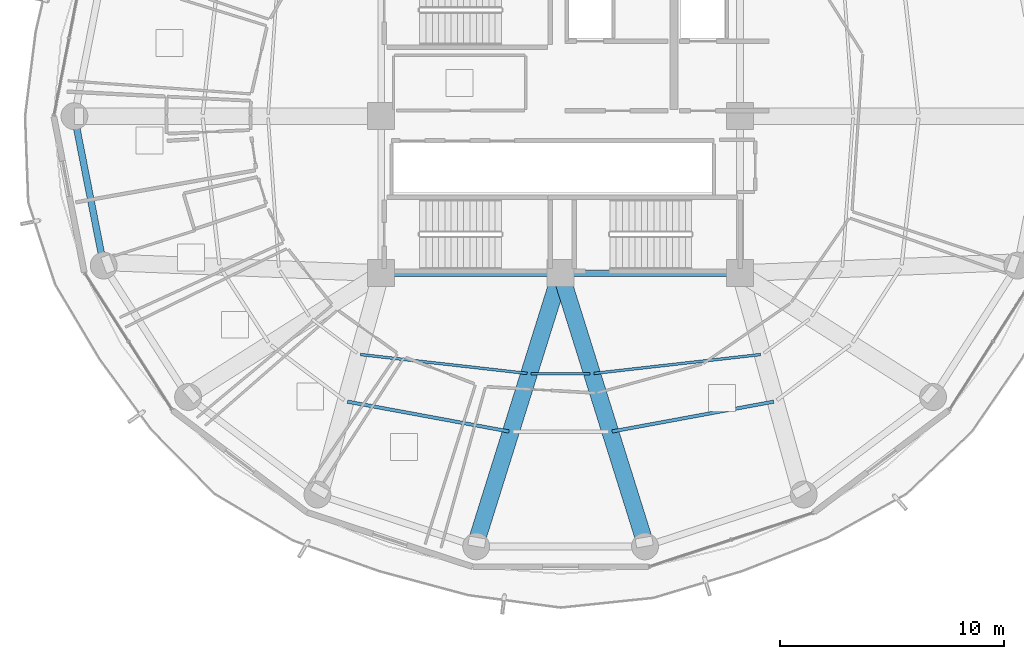
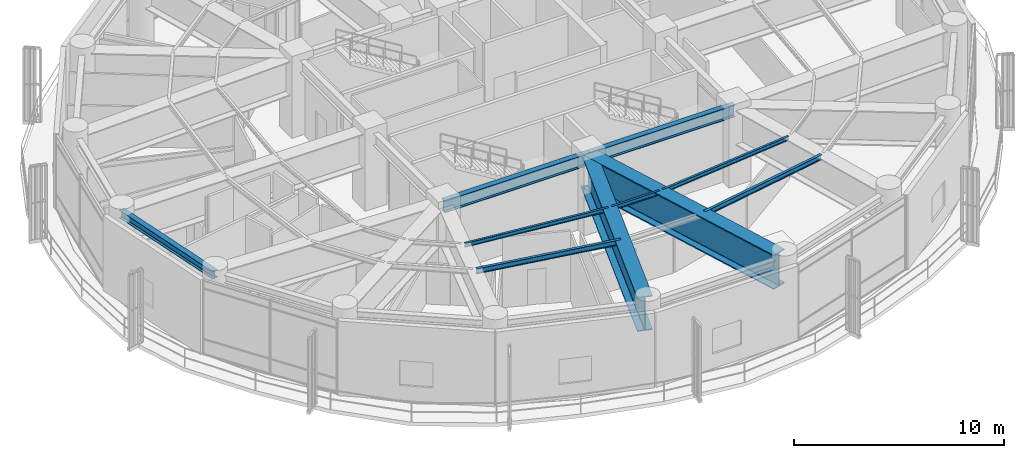
# One storey, part 5 of 28: 10 beams.
"""IFC4 building model written with IfcOpenShell, lengths in metres."""

import ifcopenshell
import ifcopenshell.guid

model = None  # the IFC model being written
_history = None  # IfcOwnerHistory: only IFC2X3 demands one
_inside = {}  # id of a spatial element -> (the spatial element, [elements in it])
_under = {}  # id of a project, library or spatial element -> (it, [spatial elements below it])
_declared = {}  # id of a project -> (the project, [libraries it declares])
_typed = {}  # id of a type object -> (the type object, [elements of that type])
_made_of = {}  # id of a material, layer set ... -> (it, [elements and type objects made of it])


def new_model(schema):
    """Start an empty IFC model of exactly this schema.

    Asked for "IFC4X3", IfcOpenShell would pick the latest addendum, in which some entities
    have other attributes; the version numbers below select the first issue.
    IFC2X3 requires an IfcOwnerHistory on every rooted entity: one is made here for all.
    """
    global model, _history
    if schema == "IFC4X3":
        model = ifcopenshell.file(schema_version=(4, 3, 0, 0))
    else:
        model = ifcopenshell.file(schema=schema)
    _inside.clear()
    _under.clear()
    _declared.clear()
    _typed.clear()
    _made_of.clear()
    _history = None
    if model.schema == "IFC2X3":
        org = make("IfcOrganization", Name="unknown")
        user = make(
            "IfcPersonAndOrganization",
            ThePerson=make("IfcPerson", FamilyName="unknown"),
            TheOrganization=org,
        )
        app = make(
            "IfcApplication",
            ApplicationDeveloper=org,
            Version="unknown",
            ApplicationFullName="unknown",
            ApplicationIdentifier="unknown",
        )
        _history = make(
            "IfcOwnerHistory",
            OwningUser=user,
            OwningApplication=app,
            ChangeAction="ADDED",
            CreationDate=0,
        )
    return model


def make(cls, **values):
    """One entity of the class cls with the attributes given. An attribute that is None is left unset."""
    return model.create_entity(
        cls, **{name: value for name, value in values.items() if value is not None}
    )


def rooted(cls, **values):
    """An entity with a GlobalId (a new one), such as an element, a storey or a relation."""
    return make(cls, GlobalId=ifcopenshell.guid.new(), OwnerHistory=_history, **values)


def si_unit(unit_type, name, prefix=None):
    """IfcSIUnit, for example si_unit("LENGTHUNIT", "METRE", prefix="MILLI")."""
    return make("IfcSIUnit", UnitType=unit_type, Prefix=prefix, Name=name)


def assignment(units):
    """IfcUnitAssignment: the units of a project."""
    return None if units is None else make("IfcUnitAssignment", Units=units)


def point(xyz):
    """IfcCartesianPoint."""
    return None if xyz is None else make("IfcCartesianPoint", Coordinates=xyz)


def direction(xyz):
    """IfcDirection."""
    return None if xyz is None else make("IfcDirection", DirectionRatios=xyz)


def frame(location, z_axis=None, x_axis=None):
    """IfcAxis2Placement3D, a coordinate frame: its origin and axes. An axis left out is left unset."""
    return make(
        "IfcAxis2Placement3D",
        Location=point(location),
        Axis=direction(z_axis),
        RefDirection=direction(x_axis),
    )


def frame_2d(location, x_axis=None):
    """IfcAxis2Placement2D, a coordinate frame in the plane: its origin and x axis."""
    return make(
        "IfcAxis2Placement2D", Location=point(location), RefDirection=direction(x_axis)
    )


def origin():
    """The frame at (0, 0, 0) with its axes left unset."""
    return frame((0.0, 0.0, 0.0))


def origin_2d():
    """The frame at (0, 0) in the plane with its x axis left unset."""
    return frame_2d((0.0, 0.0))


def place(relative_to, where):
    """IfcLocalPlacement: puts the frame where relative to a parent placement (None: the world)."""
    return make(
        "IfcLocalPlacement", PlacementRelTo=relative_to, RelativePlacement=where
    )


def context(
    kind, dimensions, precision=None, world=None, true_north=None, identifier=None
):
    """IfcGeometricRepresentationContext, for example the 3D "Model" context."""
    return make(
        "IfcGeometricRepresentationContext",
        ContextIdentifier=identifier,
        ContextType=kind,
        CoordinateSpaceDimension=dimensions,
        Precision=precision,
        WorldCoordinateSystem=world,
        TrueNorth=true_north,
    )


def subcontext(parent, identifier, kind, view, scale=None):
    """IfcGeometricRepresentationSubContext, for example "Body" below "Model"."""
    return make(
        "IfcGeometricRepresentationSubContext",
        ContextIdentifier=identifier,
        ContextType=kind,
        ParentContext=parent,
        TargetScale=scale,
        TargetView=view,
    )


def project(units=None, contexts=None):
    """IfcProject with its units and contexts."""
    return rooted(
        "IfcProject",
        Name="project",
        RepresentationContexts=contexts,
        UnitsInContext=assignment(units),
    )


def spatial(cls, under=None, at=None, **own):
    """A site, building, storey or space (cls), placed at a placement, below another one or the project."""
    s = rooted(cls, ObjectPlacement=at, **own)
    if under is not None:
        _under.setdefault(under.id(), (under, []))[1].append(s)
    return s


def profile(cls, at=None, kind="AREA", **sizes):
    """A parametric profile (cls). Its sizes go by their IFC names, for example OverallWidth=200.0."""
    return make(cls, ProfileType=kind, Position=at, **sizes)


def i_section(**sizes):
    """IfcIShapeProfileDef."""
    return profile("IfcIShapeProfileDef", **sizes)


def extrude(swept, where, along, depth):
    """IfcExtrudedAreaSolid: the profile swept, set in the frame where, extruded along a direction by depth."""
    return make(
        "IfcExtrudedAreaSolid",
        SweptArea=swept,
        Position=where,
        ExtrudedDirection=direction(along),
        Depth=depth,
    )


def shape(context_of_items, identifier, shape_type, items):
    """IfcShapeRepresentation: the items that make up one representation, for example the "Body"."""
    return make(
        "IfcShapeRepresentation",
        ContextOfItems=context_of_items,
        RepresentationIdentifier=identifier,
        RepresentationType=shape_type,
        Items=items,
    )


def material(Name=None, Category=None):
    """IfcMaterial."""
    return make("IfcMaterial", Name=Name, Category=Category)


def material_profile(
    of_material, cross_section, Name=None, Category=None, Priority=None
):
    """IfcMaterialProfile: a cross section and its material."""
    return make(
        "IfcMaterialProfile",
        Name=Name,
        Material=of_material,
        Profile=cross_section,
        Priority=Priority,
        Category=Category,
    )


def profile_set(profiles, Name=None, composite=None):
    """IfcMaterialProfileSet."""
    return make(
        "IfcMaterialProfileSet",
        Name=Name,
        MaterialProfiles=profiles,
        CompositeProfile=composite,
    )


def made_of(thing, what):
    """Note that an element or type object is made of a material, layer set ...; save() writes the relation."""
    if what is not None:
        _made_of.setdefault(what.id(), (what, []))[1].append(thing)
    return thing


def type_object(cls, material=None, **own):
    """A type object (cls), such as IfcWallType, which elements share."""
    return made_of(rooted(cls, **own), material)


def element(
    cls,
    number,
    at=None,
    inside=None,
    cuts=None,
    type_object=None,
    material=None,
    context=None,
    identifier="Body",
    shape_type=None,
    held_by="IfcProductDefinitionShape",
    body=None,
    shapes=None,
    **own,
):
    """One element of the class cls, such as IfcWall. Its Tag is "e" and its number.

    at: its placement. inside: the storey or other place that contains it. cuts: it is an
    opening in that element (IfcRelVoidsElement). A single representation is given by context,
    identifier, shape_type and body (its items); several are given by shapes. held_by: the class
    of the entity that holds the representations. save() writes the other relations.
    """
    e = rooted(cls, Tag="e%d" % number, ObjectPlacement=at, **own)
    if body is not None:
        shapes = [shape(context, identifier, shape_type, body)]
    if shapes is not None:
        e.Representation = make(held_by, Representations=shapes)
    if inside is not None:
        _inside.setdefault(inside.id(), (inside, []))[1].append(e)
    if cuts is not None:
        rooted(
            "IfcRelVoidsElement", RelatingBuildingElement=cuts, RelatedOpeningElement=e
        )
    if type_object is not None:
        _typed.setdefault(type_object.id(), (type_object, []))[1].append(e)
    return made_of(e, material)


def aggregate(whole, parts):
    """IfcRelAggregates: a whole, such as a stair, and the parts it consists of."""
    return rooted("IfcRelAggregates", RelatingObject=whole, RelatedObjects=parts)


def save(model, path):
    """Write the relations noted so far, then the file.

    IfcRelAggregates (storeys below a building ...), IfcRelContainedInSpatialStructure (elements
    in a storey), IfcRelDefinesByType, IfcRelAssociatesMaterial and IfcRelDeclares: one each for
    every whole, place, type object, material and project.
    """
    for whole, parts in _under.values():
        aggregate(whole, parts)
    for where, things in _inside.values():
        rooted(
            "IfcRelContainedInSpatialStructure",
            RelatedElements=things,
            RelatingStructure=where,
        )
    for kind, things in _typed.values():
        rooted("IfcRelDefinesByType", RelatedObjects=things, RelatingType=kind)
    for what, things in _made_of.values():
        rooted("IfcRelAssociatesMaterial", RelatedObjects=things, RelatingMaterial=what)
    for by, libraries in _declared.values():
        rooted("IfcRelDeclares", RelatingContext=by, RelatedDefinitions=libraries)
    model.write(path)


model = new_model("IFC4")

# Units and contexts
model_context = context("Model", 3, precision=1e-05, world=origin(), true_north=direction((0.0, 1.0)))
body_context = subcontext(model_context, "Body", "Model", "MODEL_VIEW")
ifc_project = project(units=[si_unit("LENGTHUNIT", "METRE"), si_unit("AREAUNIT", "SQUARE_METRE"), si_unit("VOLUMEUNIT", "CUBIC_METRE"), si_unit("PLANEANGLEUNIT", "RADIAN"), si_unit("MASSUNIT", "GRAM", prefix="KILO")], contexts=[model_context])

# Site, building, storey
site_placement = place(None, origin())
site = spatial("IfcSite", under=ifc_project, at=site_placement, CompositionType="ELEMENT")
building_placement = place(site_placement, origin())
building = spatial("IfcBuilding", under=site, at=building_placement, Name="Kelanora Arch Commons", CompositionType="ELEMENT")
storey_placement = place(building_placement, frame((0.0, 0.0, 184.35009765625)))
storey = spatial("IfcBuildingStorey", under=building, at=storey_placement, Name="L47", CompositionType="ELEMENT", Elevation=184.35009765625)

# Beams
ifc_material = material(Name="Steel S355", Category="steel")
ifc_material_profile_1 = material_profile(ifc_material, i_section(OverallWidth=0.300048828125, OverallDepth=0.699951171875, WebThickness=0.01708984375, FlangeThickness=0.031982421875, FilletRadius=0.027099609375, at=origin_2d()), Name="HEB700")
ifc_profile_set_1 = profile_set([ifc_material_profile_1], Name="Steel S355")
beam_type_1 = type_object("IfcBeamType", Name="BM-CORE-HDR", PredefinedType="BEAM", material=ifc_profile_set_1)
for number, where, z_axis, x_axis, name in (
    (1, (66.0, 51.0, 4.010009765625), (1.0, 0.0, 0.0), (0.0, 1.0, 0.0), "Core Header Beam 01 L47"),
    (2, (74.0, 51.0, 4.010009765625), (1.0, 0.0, 0.0), (0.0, 1.0, 0.0), "Core Header Beam 02 L47"),
):
    element("IfcBeam", number, at=place(storey_placement, frame(where, z_axis=z_axis, x_axis=x_axis)), inside=storey, type_object=beam_type_1, Name=name, PredefinedType="BEAM", context=body_context, shape_type="SweptSolid", body=[
        extrude(i_section(OverallWidth=0.300048828125, OverallDepth=0.699951171875, WebThickness=0.01708984375, FlangeThickness=0.031982421875, FilletRadius=0.027099609375, at=origin_2d()), origin(), (0.0, 0.0, 1.0), 8.0),
    ])
ifc_material_profile_2 = material_profile(ifc_material, i_section(OverallWidth=0.14990234375, OverallDepth=0.300048828125, WebThickness=0.007080078125, FlangeThickness=0.0107421875, FilletRadius=0.014892578125, at=origin_2d()), Name="IPE300")
ifc_profile_set_2 = profile_set([ifc_material_profile_2], Name="Steel S355")
beam_type_2 = type_object("IfcBeamType", Name="BM-JST-01", PredefinedType="JOIST", material=ifc_profile_set_2)
for number, where, z_axis, x_axis, name in (
    (3, (64.49951171875, 45.270263671875, 4.2099609375), (0.983389964671, -0.181505309519, 0.0), (0.181505309519, 0.983389964671, 0.0), "Secondary Chord Joist BJB-24 L47"),
    (4, (76.30078125, 43.94140625, 4.2099609375), (0.983389964671, 0.181505309519, 0.0), (-0.181505309519, 0.983389964671, 0.0), "Secondary Chord Joist BJB-28 L47"),
):
    element("IfcBeam", number, at=place(storey_placement, frame(where, z_axis=z_axis, x_axis=x_axis)), inside=storey, type_object=beam_type_2, Name=name, PredefinedType="JOIST", context=body_context, shape_type="SweptSolid", body=[
        extrude(i_section(OverallWidth=0.14990234375, OverallDepth=0.300048828125, WebThickness=0.007080078125, FlangeThickness=0.0107421875, FilletRadius=0.014892578125, at=origin_2d()), origin(), (0.0, 0.0, 1.0), 7.3212890625),
    ])
ifc_material_profile_3 = material_profile(ifc_material, i_section(OverallWidth=0.1201171875, OverallDepth=0.239990234375, WebThickness=0.006103515625, FlangeThickness=0.009765625, FilletRadius=0.014892578125, at=origin_2d()), Name="IPE240")
ifc_profile_set_3 = profile_set([ifc_material_profile_3], Name="Steel S355")
beam_type_3 = type_object("IfcBeamType", Name="BM-JST-02", PredefinedType="JOIST", material=ifc_profile_set_3)
beam_1_placement = place(storey_placement, frame((65.081298828125, 47.371337890625, 4.239990234375), z_axis=(0.993639672263, -0.11260640171, 0.0), x_axis=(0.11260640171, 0.993639672263, 0.0)))
element("IfcBeam", 5, at=beam_1_placement, inside=storey, type_object=beam_type_3, Name="Secondary Chord Joist BJA-24 L47", PredefinedType="JOIST", context=body_context, shape_type="SweptSolid", body=[
    extrude(i_section(OverallWidth=0.1201171875, OverallDepth=0.239990234375, WebThickness=0.006103515625, FlangeThickness=0.009765625, FilletRadius=0.014892578125, at=origin_2d()), origin(), (0.0, 0.0, 1.0), 7.477783203125),
])
beam_2_placement = place(storey_placement, frame((72.680908203125, 46.519775390625, 4.239990234375), z_axis=(1.0, 0.0, 0.0), x_axis=(0.0, 1.0, 0.0)))
element("IfcBeam", 6, at=beam_2_placement, inside=storey, type_object=beam_type_3, Name="Secondary Chord Joist BJA-26 L47", PredefinedType="JOIST", context=body_context, shape_type="SweptSolid", body=[
    extrude(i_section(OverallWidth=0.1201171875, OverallDepth=0.239990234375, WebThickness=0.006103515625, FlangeThickness=0.009765625, FilletRadius=0.014892578125, at=origin_2d()), origin(), (0.0, 0.0, 1.0), 2.63818359375),
])
beam_3_placement = place(storey_placement, frame((75.488525390625, 46.529296875, 4.239990234375), z_axis=(0.993639672263, 0.11260640171, 0.0), x_axis=(-0.11260640171, 0.993639672263, 0.0)))
element("IfcBeam", 7, at=beam_3_placement, inside=storey, type_object=beam_type_3, Name="Secondary Chord Joist BJA-28 L47", PredefinedType="JOIST", context=body_context, shape_type="SweptSolid", body=[
    extrude(i_section(OverallWidth=0.1201171875, OverallDepth=0.239990234375, WebThickness=0.006103515625, FlangeThickness=0.009765625, FilletRadius=0.014892578125, at=origin_2d()), origin(), (0.0, 0.0, 1.0), 7.477783203125),
])
ifc_material_profile_4 = material_profile(ifc_material, i_section(OverallWidth=0.300048828125, OverallDepth=0.449951171875, WebThickness=0.013916015625, FlangeThickness=0.02587890625, FilletRadius=0.027099609375, at=origin_2d()), Name="HEB450")
ifc_profile_set_4 = profile_set([ifc_material_profile_4], Name="Steel S355")
beam_type_4 = type_object("IfcBeamType", Name="BM-SPN-Z3", PredefinedType="SPANDREL", material=ifc_profile_set_4)
beam_4_placement = place(storey_placement, frame((52.320068359375, 58.0, 4.135009765625), z_axis=(0.192553643556, -0.981286448675, 0.0), x_axis=(0.981286448675, 0.192553643556, 0.0)))
element("IfcBeam", 8, at=beam_4_placement, inside=storey, type_object=beam_type_4, Name="Perimeter Spandrel Beam BS-18 L47", PredefinedType="SPANDREL", context=body_context, shape_type="SweptSolid", body=[
    extrude(i_section(OverallWidth=0.300048828125, OverallDepth=0.449951171875, WebThickness=0.013916015625, FlangeThickness=0.02587890625, FilletRadius=0.027099609375, at=origin_2d()), origin(), (0.0, 0.0, 1.0), 6.78955078125),
])
ifc_material_profile_5 = material_profile(ifc_material, i_section(OverallWidth=0.75, OverallDepth=2.0, WebThickness=0.034912109375, FlangeThickness=0.06005859375, FilletRadius=0.028076171875, at=origin_2d()), Name="PG2000x750")
ifc_profile_set_5 = profile_set([ifc_material_profile_5], Name="Steel S355")
beam_type_5 = type_object("IfcBeamType", Name="BM-XFER-SET", PredefinedType="USERDEFINED", material=ifc_profile_set_5)
for number, where, z_axis, x_axis, name in (
    (9, (74.0, 51.0, 3.35986328125), (-0.299080457492, -0.954227897279, 0.0), (0.954227897279, -0.299080457492, 0.0), "Setback Radial Transfer Girder BRI-26 L47"),
    (10, (74.0, 51.0, 3.35986328125), (0.299080457492, -0.954227897279, 0.0), (0.954227897279, 0.299080457492, 0.0), "Setback Radial Transfer Girder BRI-28 L47"),
):
    element("IfcBeam", number, at=place(storey_placement, frame(where, z_axis=z_axis, x_axis=x_axis)), inside=storey, type_object=beam_type_5, Name=name, ObjectType="TRANSFER_GIRDER", PredefinedType="USERDEFINED", context=body_context, shape_type="SweptSolid", body=[
        extrude(i_section(OverallWidth=0.75, OverallDepth=2.0, WebThickness=0.034912109375, FlangeThickness=0.06005859375, FilletRadius=0.028076171875, at=origin_2d()), origin(), (0.0, 0.0, 1.0), 12.35546875),
    ])

save(model, "model.ifc")
